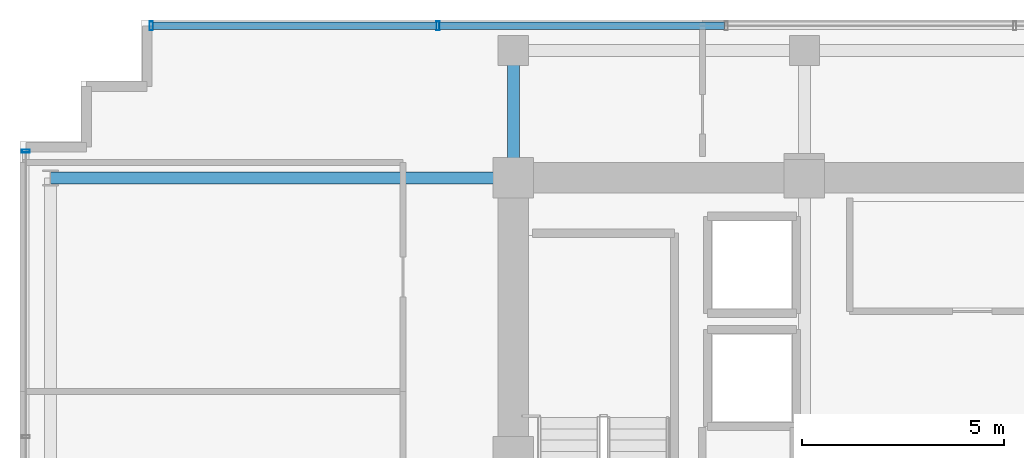
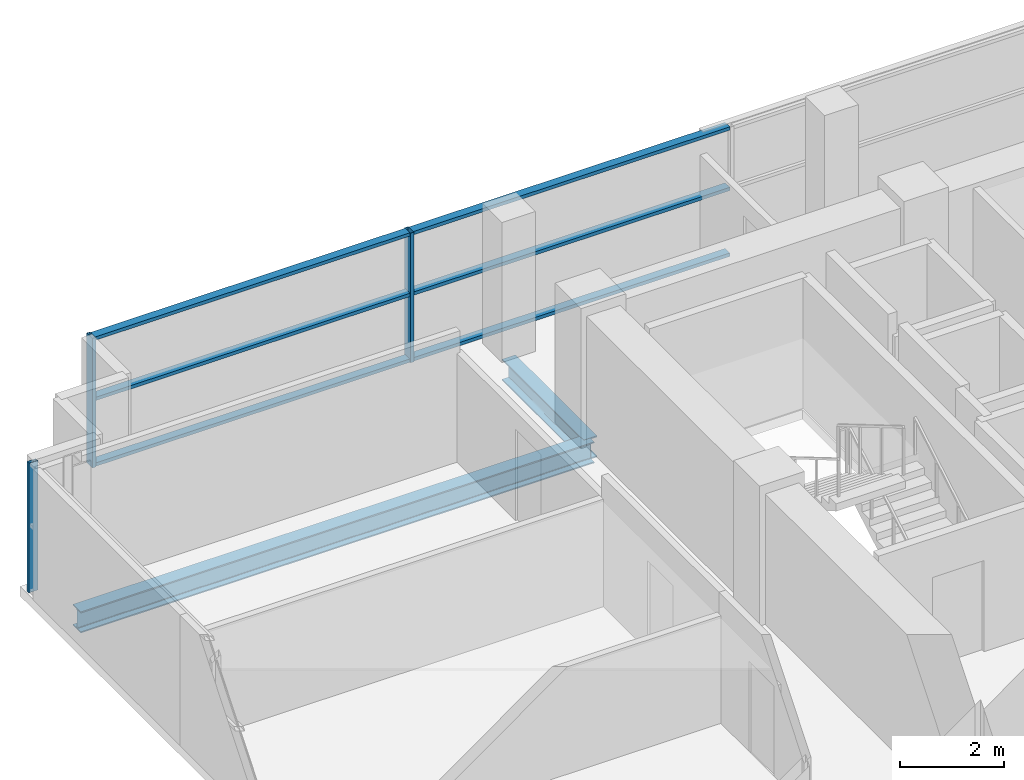
# One storey, part 13 of 25: 9 members, 2 beams, 2 elements without a shape of their own.
"""IFC4 building model written with IfcOpenShell, lengths in metres."""

from ifc_helpers import new_model, si_unit, direction, frame, origin, origin_2d, place, context, subcontext, project, spatial, hollow_rectangle, i_section, extrude, source, transform, mapped, material, layer, layer_set, material_profile, profile_set, type_object, element, aggregate, save


model = new_model("IFC4")

# Units and contexts
model_context = context("Model", 3, precision=1e-05, world=origin(), true_north=direction((0.0, 1.0)))
body_context = subcontext(model_context, "Body", "Model", "MODEL_VIEW")
ifc_project = project(units=[si_unit("LENGTHUNIT", "METRE"), si_unit("AREAUNIT", "SQUARE_METRE"), si_unit("VOLUMEUNIT", "CUBIC_METRE"), si_unit("PLANEANGLEUNIT", "RADIAN"), si_unit("MASSUNIT", "GRAM", prefix="KILO")], contexts=[model_context])

# Site, building, storey
site_placement = place(None, origin())
site = spatial("IfcSite", under=ifc_project, at=site_placement, CompositionType="ELEMENT")
building_placement = place(site_placement, origin())
building = spatial("IfcBuilding", under=site, at=building_placement, Name="Zarnakvel Exchange Tower", CompositionType="ELEMENT")
storey_placement = place(building_placement, frame((0.0, 0.0, 156.10009765625)))
storey = spatial("IfcBuildingStorey", under=building, at=storey_placement, Name="L43", CompositionType="ELEMENT", Elevation=156.10009765625)

# Beams
ifc_material_1 = material(Name="Steel S355", Category="steel")
ifc_material_profile_1 = material_profile(ifc_material_1, i_section(OverallWidth=0.300048828125, OverallDepth=0.5, WebThickness=0.014404296875, FlangeThickness=0.028076171875, FilletRadius=0.027099609375, at=origin_2d()))
ifc_profile_set_1 = profile_set([ifc_material_profile_1], Name="Steel S355")
beam_type = type_object("IfcBeamType", Name="G-06", PredefinedType="BEAM", material=ifc_profile_set_1)
beam_1_placement = place(storey_placement, frame((-25.85009765625, 13.5, -0.47509765625), z_axis=(1.0, 0.0, 0.0), x_axis=(0.0, 1.0, 0.0)))
element("IfcBeam", 1, at=beam_1_placement, inside=storey, type_object=beam_type, Name="L43 Tower E-W Frame Beam", PredefinedType="BEAM", context=body_context, shape_type="SweptSolid", body=[
    extrude(i_section(OverallWidth=0.300048828125, OverallDepth=0.5, WebThickness=0.014404296875, FlangeThickness=0.028076171875, FilletRadius=0.027099609375, at=origin_2d()), origin(), (0.0, 0.0, 1.0), 11.4501953125),
])
beam_2_placement = place(storey_placement, frame((-14.39990234375, 13.5, -0.47509765625), z_axis=(0.0, 1.0, 0.0), x_axis=(-1.0, 0.0, 0.0)))
element("IfcBeam", 2, at=beam_2_placement, inside=storey, type_object=beam_type, Name="L43 Tower N-S Frame Beam", PredefinedType="BEAM", context=body_context, shape_type="SweptSolid", body=[
    extrude(i_section(OverallWidth=0.300048828125, OverallDepth=0.5, WebThickness=0.014404296875, FlangeThickness=0.028076171875, FilletRadius=0.027099609375, at=origin_2d()), origin(), (0.0, 0.0, 1.0), 3.14990234375),
])

# Curtain wall, member
ifc_material_2 = material(Name="Architectural Bronze Anodised Aluminium", Category="aluminium")
ifc_layer_1 = layer(ifc_material_2, 0.199951171875)
ifc_layer_set_1 = layer_set([ifc_layer_1], Name="Architectural Bronze Anodised Aluminium")
curtain_wall_type_1 = type_object("IfcCurtainWallType", Name="CW-04", PredefinedType="NOTDEFINED", material=ifc_layer_set_1)
curtain_wall_1_placement = place(storey_placement, origin())
curtain_wall_1 = element("IfcCurtainWall", 3, at=curtain_wall_1_placement, inside=storey, type_object=curtain_wall_type_1, Name="L43 Curtain Wall CW-L43-W1 (CW-04)", PredefinedType="NOTDEFINED")
ifc_material_profile_2 = material_profile(ifc_material_2, hollow_rectangle(XDim=0.199951171875, YDim=0.074951171875, WallThickness=0.0048828125, at=origin_2d()))
ifc_profile_set_2 = profile_set([ifc_material_profile_2], Name="Architectural Bronze Anodised Aluminium")
member_type_1 = type_object("IfcMemberType", Name="CWM-04", PredefinedType="MULLION", material=ifc_profile_set_2)
shared_shape_1 = source(origin(), body_context, "Body", "SweptSolid", [
    extrude(hollow_rectangle(XDim=0.199951171875, YDim=0.074951171875, WallThickness=0.0048828125, at=origin_2d()), origin(), (0.0, 0.0, 1.0), 3.054931640625),
])
member_1_placement = place(storey_placement, frame((-26.4599609375, 14.16259765625, 0.0), z_axis=(0.0, 0.0, 1.0), x_axis=(-1.0, 0.0, 0.0)))
member_1 = element("IfcMember", 4, at=member_1_placement, type_object=member_type_1, Name="CW-04 mullion 5", PredefinedType="MULLION", context=body_context, shape_type="MappedRepresentation", body=[
    mapped(shared_shape_1, transform((0.0, 0.0, 0.0), x_axis=(1.0, 0.0, 0.0), y_axis=(0.0, 1.0, 0.0), z_axis=(0.0, 0.0, 1.0), scale=1.0)),
])
aggregate(curtain_wall_1, [member_1])

# Curtain wall, members
ifc_layer_2 = layer(ifc_material_2, 0.219970703125)
ifc_layer_set_2 = layer_set([ifc_layer_2], Name="Architectural Bronze Anodised Aluminium")
curtain_wall_type_2 = type_object("IfcCurtainWallType", Name="CW-03", PredefinedType="NOTDEFINED", material=ifc_layer_set_2)
curtain_wall_2_placement = place(storey_placement, origin())
curtain_wall_2 = element("IfcCurtainWall", 5, at=curtain_wall_2_placement, inside=storey, type_object=curtain_wall_type_2, Name="L43 Curtain Wall CW-L43-N1 (CW-03)", PredefinedType="NOTDEFINED")
ifc_material_profile_3 = material_profile(ifc_material_2, hollow_rectangle(XDim=0.219970703125, YDim=0.080078125, WallThickness=0.0048828125, at=origin_2d()))
ifc_profile_set_3 = profile_set([ifc_material_profile_3], Name="Architectural Bronze Anodised Aluminium")
member_type_2 = type_object("IfcMemberType", Name="CWM-03", PredefinedType="MULLION", material=ifc_profile_set_3)
shared_shape_2 = source(origin(), body_context, "Body", "SweptSolid", [
    extrude(hollow_rectangle(XDim=0.219970703125, YDim=0.080078125, WallThickness=0.0048828125, at=origin_2d()), origin(), (0.0, 0.0, 1.0), 3.054931640625),
])
member_2_placement = place(storey_placement, frame((-23.360107421875, 17.260009765625, 0.0), z_axis=(0.0, 0.0, 1.0), x_axis=(0.0, 1.0, 0.0)))
member_2 = element("IfcMember", 6, at=member_2_placement, type_object=member_type_2, Name="CW-03 mullion 1", PredefinedType="MULLION", context=body_context, shape_type="MappedRepresentation", body=[
    mapped(shared_shape_2, transform((0.0, 0.0, 0.0), x_axis=(1.0, 0.0, 0.0), y_axis=(0.0, 1.0, 0.0), z_axis=(0.0, 0.0, 1.0), scale=1.0)),
])
member_3_placement = place(storey_placement, frame((-16.2666015625, 17.260009765625, 0.0), z_axis=(0.0, 0.0, 1.0), x_axis=(0.0, 1.0, 0.0)))
member_3 = element("IfcMember", 7, at=member_3_placement, type_object=member_type_2, Name="CW-03 mullion 2", PredefinedType="MULLION", context=body_context, shape_type="MappedRepresentation", body=[
    mapped(shared_shape_2, transform((0.0, 0.0, 0.0), x_axis=(1.0, 0.0, 0.0), y_axis=(0.0, 1.0, 0.0), z_axis=(0.0, 0.0, 1.0), scale=1.0)),
])
ifc_material_profile_4 = material_profile(ifc_material_2, hollow_rectangle(XDim=0.179931640625, YDim=0.080078125, WallThickness=0.00390625, at=origin_2d()))
ifc_profile_set_4 = profile_set([ifc_material_profile_4], Name="Architectural Bronze Anodised Aluminium")
member_type_3 = type_object("IfcMemberType", Name="CWT-03", PredefinedType="USERDEFINED", material=ifc_profile_set_4)
shared_shape_3 = source(origin(), body_context, "Body", "SweptSolid", [
    extrude(hollow_rectangle(XDim=0.179931640625, YDim=0.080078125, WallThickness=0.00390625, at=origin_2d()), origin(), (0.0, 0.0, 1.0), 7.013427734375),
])
member_4_placement = place(storey_placement, frame((-23.320068359375, 17.260009765625, 0.039794921875), z_axis=(1.0, 0.0, 0.0), x_axis=(0.0, 1.0, 0.0)))
member_4 = element("IfcMember", 8, at=member_4_placement, type_object=member_type_3, Name="CW-03 transom 1.1", ObjectType="TRANSOM", PredefinedType="USERDEFINED", context=body_context, shape_type="MappedRepresentation", body=[
    mapped(shared_shape_3, transform((0.0, 0.0, 0.0), x_axis=(1.0, 0.0, 0.0), y_axis=(0.0, 1.0, 0.0), z_axis=(0.0, 0.0, 1.0), scale=1.0)),
])
member_5_placement = place(storey_placement, frame((-23.320068359375, 17.260009765625, 1.588623046875), z_axis=(1.0, 0.0, 0.0), x_axis=(0.0, 1.0, 0.0)))
member_5 = element("IfcMember", 9, at=member_5_placement, type_object=member_type_3, Name="CW-03 transom 1.2", ObjectType="TRANSOM", PredefinedType="USERDEFINED", context=body_context, shape_type="MappedRepresentation", body=[
    mapped(shared_shape_3, transform((0.0, 0.0, 0.0), x_axis=(1.0, 0.0, 0.0), y_axis=(0.0, 1.0, 0.0), z_axis=(0.0, 0.0, 1.0), scale=1.0)),
])
member_6_placement = place(storey_placement, frame((-23.320068359375, 17.260009765625, 3.014892578125), z_axis=(1.0, 0.0, 0.0), x_axis=(0.0, 1.0, 0.0)))
member_6 = element("IfcMember", 10, at=member_6_placement, type_object=member_type_3, Name="CW-03 transom 1.3", ObjectType="TRANSOM", PredefinedType="USERDEFINED", context=body_context, shape_type="MappedRepresentation", body=[
    mapped(shared_shape_3, transform((0.0, 0.0, 0.0), x_axis=(1.0, 0.0, 0.0), y_axis=(0.0, 1.0, 0.0), z_axis=(0.0, 0.0, 1.0), scale=1.0)),
])
shared_shape_4 = source(origin(), body_context, "Body", "SweptSolid", [
    extrude(hollow_rectangle(XDim=0.179931640625, YDim=0.080078125, WallThickness=0.00390625, at=origin_2d()), origin(), (0.0, 0.0, 1.0), 7.05322265625),
])
member_7_placement = place(storey_placement, frame((-16.2265625, 17.260009765625, 0.039794921875), z_axis=(1.0, 0.0, 0.0), x_axis=(0.0, 1.0, 0.0)))
member_7 = element("IfcMember", 11, at=member_7_placement, type_object=member_type_3, Name="CW-03 transom 2.1", ObjectType="TRANSOM", PredefinedType="USERDEFINED", context=body_context, shape_type="MappedRepresentation", body=[
    mapped(shared_shape_4, transform((0.0, 0.0, 0.0), x_axis=(1.0, 0.0, 0.0), y_axis=(0.0, 1.0, 0.0), z_axis=(0.0, 0.0, 1.0), scale=1.0)),
])
member_8_placement = place(storey_placement, frame((-16.2265625, 17.260009765625, 1.588623046875), z_axis=(1.0, 0.0, 0.0), x_axis=(0.0, 1.0, 0.0)))
member_8 = element("IfcMember", 12, at=member_8_placement, type_object=member_type_3, Name="CW-03 transom 2.2", ObjectType="TRANSOM", PredefinedType="USERDEFINED", context=body_context, shape_type="MappedRepresentation", body=[
    mapped(shared_shape_4, transform((0.0, 0.0, 0.0), x_axis=(1.0, 0.0, 0.0), y_axis=(0.0, 1.0, 0.0), z_axis=(0.0, 0.0, 1.0), scale=1.0)),
])
member_9_placement = place(storey_placement, frame((-16.2265625, 17.260009765625, 3.014892578125), z_axis=(1.0, 0.0, 0.0), x_axis=(0.0, 1.0, 0.0)))
member_9 = element("IfcMember", 13, at=member_9_placement, type_object=member_type_3, Name="CW-03 transom 2.3", ObjectType="TRANSOM", PredefinedType="USERDEFINED", context=body_context, shape_type="MappedRepresentation", body=[
    mapped(shared_shape_4, transform((0.0, 0.0, 0.0), x_axis=(1.0, 0.0, 0.0), y_axis=(0.0, 1.0, 0.0), z_axis=(0.0, 0.0, 1.0), scale=1.0)),
])
aggregate(curtain_wall_2, [member_2, member_3, member_4, member_5, member_6, member_7, member_8, member_9])

save(model, "model.ifc")
